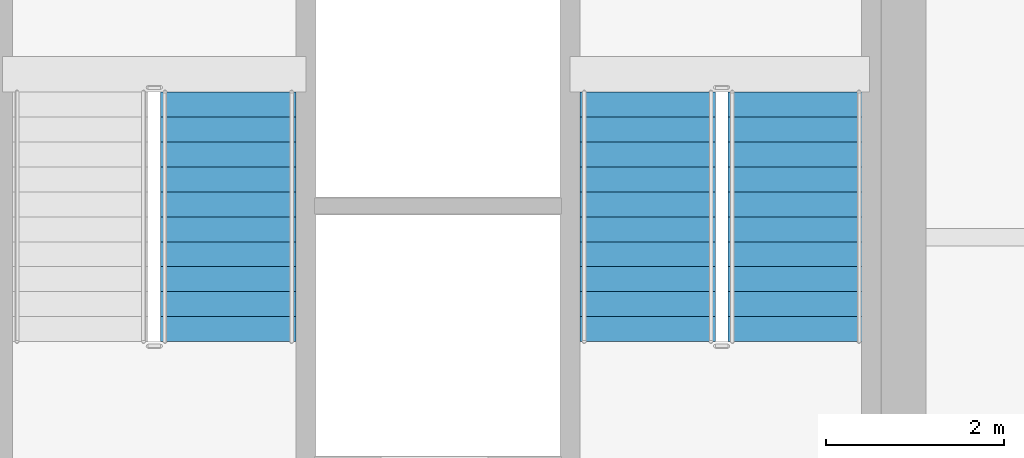
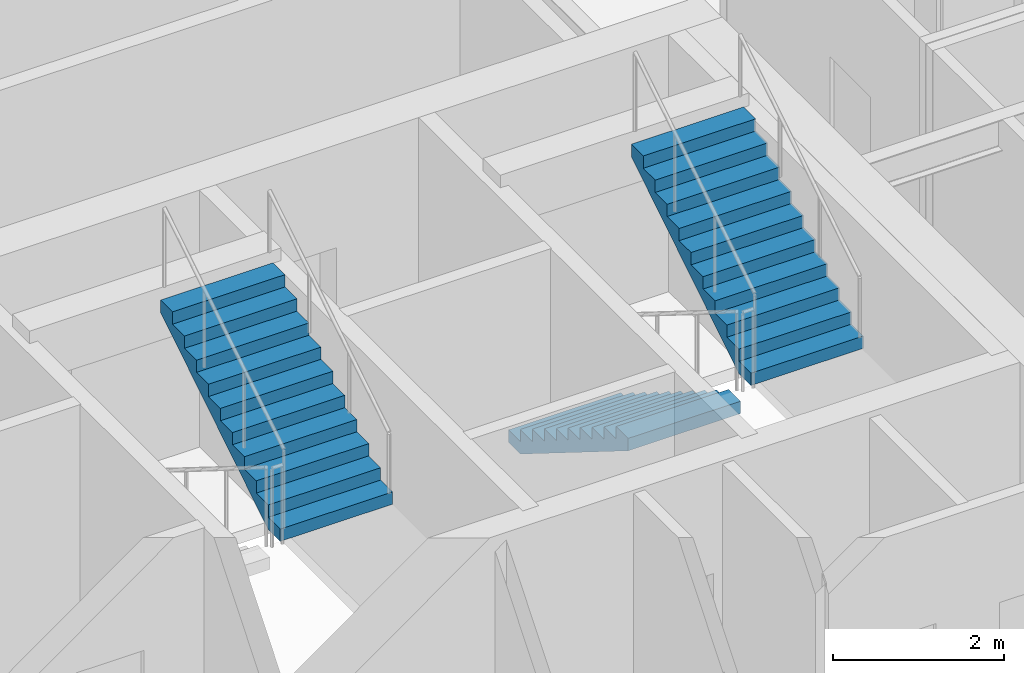
# One storey, part 9 of 10: 3 stair flights, 2 elements without a shape of their own.
"""IFC4 building model written with IfcOpenShell, lengths in metres."""

from ifc_helpers import new_model, si_unit, direction, frame, origin, place, context, subcontext, project, spatial, polyline, outline, extrude, material, type_object, element, aggregate, save


model = new_model("IFC4")

# Units and contexts
model_context = context("Model", 3, precision=1e-05, world=origin(), true_north=direction((0.0, 1.0)))
body_context = subcontext(model_context, "Body", "Model", "MODEL_VIEW")
ifc_project = project(units=[si_unit("LENGTHUNIT", "METRE"), si_unit("AREAUNIT", "SQUARE_METRE"), si_unit("VOLUMEUNIT", "CUBIC_METRE"), si_unit("PLANEANGLEUNIT", "RADIAN"), si_unit("MASSUNIT", "GRAM", prefix="KILO")], contexts=[model_context])

# Site, building, storey
site_placement = place(None, origin())
site = spatial("IfcSite", under=ifc_project, at=site_placement, CompositionType="ELEMENT")
building_placement = place(site_placement, origin())
building = spatial("IfcBuilding", under=site, at=building_placement, Name="Haolan Belvedere Tower", CompositionType="ELEMENT")
storey_placement = place(building_placement, frame((0.0, 0.0, 258.300048828125)))
storey = spatial("IfcBuildingStorey", under=building, at=storey_placement, Name="L65", CompositionType="ELEMENT", Elevation=258.300048828125)

# Stair, stair flight
ifc_material = material(Name="Concrete C40/50", Category="concrete")
stair_type = type_object("IfcStairType", Name="STR-DL-22R-175", PredefinedType="HALF_TURN_STAIR", material=ifc_material)
stair_1_placement = place(storey_placement, origin())
stair_1 = element("IfcStair", 1, at=stair_1_placement, inside=storey, type_object=stair_type, Name="L65 Smokeproof Core Exit Stair ST3", PredefinedType="HALF_TURN_STAIR")
stair_flight_type = type_object("IfcStairFlightType", Name="SFL-DL-11R-175", PredefinedType="STRAIGHT", material=ifc_material)
stair_flight_1_placement = place(storey_placement, frame((39.22998046875, 38.429931640625, 1.925048828125), z_axis=(0.0, 0.0, 1.0), x_axis=(0.0, 1.0, 0.0)))
stair_flight_1 = element("IfcStairFlight", 2, at=stair_flight_1_placement, type_object=stair_flight_type, Name="ST3 flight 2", NumberOfRisers=11, NumberOfTreads=10, PredefinedType="STRAIGHT", RiserHeight=0.175, TreadLength=0.28, context=body_context, shape_type="SweptSolid", body=[
    extrude(outline(polyline([(0.0, 0.0), (0.0, 0.175048828125), (0.280029296875, 0.175048828125), (0.280029296875, 0.35009765625), (0.56005859375, 0.35009765625), (0.56005859375, 0.52490234375), (0.840087890625, 0.52490234375), (0.840087890625, 0.699951171875), (1.1201171875, 0.699951171875), (1.1201171875, 0.875), (1.39990234375, 0.875), (1.39990234375, 1.050048828125), (1.679931640625, 1.050048828125), (1.679931640625, 1.22509765625), (1.9599609375, 1.22509765625), (1.9599609375, 1.39990234375), (2.239990234375, 1.39990234375), (2.239990234375, 1.574951171875), (2.52001953125, 1.574951171875), (2.52001953125, 1.75), (2.800048828125, 1.75), (2.800048828125, 1.925048828125), (2.800048828125, 1.5732421875), (0.28271484375, 0.0), (0.0, 0.0)])), frame((0.0, 0.760009765625, 0.0), z_axis=(0.0, -1.0, 0.0), x_axis=(1.0, 0.0, 0.0)), (0.0, 0.0, 1.0), 1.52001953125),
])
aggregate(stair_1, [stair_flight_1])

# Stair, stair flights
stair_2_placement = place(storey_placement, origin())
stair_2 = element("IfcStair", 3, at=stair_2_placement, inside=storey, type_object=stair_type, Name="L65 Smokeproof Core Exit Stair ST2", PredefinedType="HALF_TURN_STAIR")
stair_flight_2_placement = place(storey_placement, frame((43.929931640625, 41.22998046875, 0.0), z_axis=(0.0, 0.0, 1.0), x_axis=(0.0, -1.0, 0.0)))
stair_flight_2 = element("IfcStairFlight", 4, at=stair_flight_2_placement, type_object=stair_flight_type, Name="ST2 flight 1", NumberOfRisers=11, NumberOfTreads=10, PredefinedType="STRAIGHT", RiserHeight=0.175, TreadLength=0.28, context=body_context, shape_type="SweptSolid", body=[
    extrude(outline(polyline([(0.0, 0.0), (0.0, 0.175048828125), (0.280029296875, 0.175048828125), (0.280029296875, 0.35009765625), (0.56005859375, 0.35009765625), (0.56005859375, 0.52490234375), (0.840087890625, 0.52490234375), (0.840087890625, 0.699951171875), (1.1201171875, 0.699951171875), (1.1201171875, 0.875), (1.39990234375, 0.875), (1.39990234375, 1.050048828125), (1.679931640625, 1.050048828125), (1.679931640625, 1.22509765625), (1.9599609375, 1.22509765625), (1.9599609375, 1.39990234375), (2.239990234375, 1.39990234375), (2.239990234375, 1.574951171875), (2.52001953125, 1.574951171875), (2.52001953125, 1.75), (2.800048828125, 1.75), (2.800048828125, 1.925048828125), (2.800048828125, 1.5732421875), (0.28271484375, 0.0), (0.0, 0.0)])), frame((0.0, 0.760009765625, 0.0), z_axis=(0.0, -1.0, 0.0), x_axis=(1.0, 0.0, 0.0)), (0.0, 0.0, 1.0), 1.52001953125),
])
stair_flight_3_placement = place(storey_placement, frame((45.590087890625, 38.429931640625, 1.925048828125), z_axis=(0.0, 0.0, 1.0), x_axis=(0.0, 1.0, 0.0)))
stair_flight_3 = element("IfcStairFlight", 5, at=stair_flight_3_placement, type_object=stair_flight_type, Name="ST2 flight 2", NumberOfRisers=11, NumberOfTreads=10, PredefinedType="STRAIGHT", RiserHeight=0.175, TreadLength=0.28, context=body_context, shape_type="SweptSolid", body=[
    extrude(outline(polyline([(0.0, 0.0), (0.0, 0.175048828125), (0.280029296875, 0.175048828125), (0.280029296875, 0.35009765625), (0.56005859375, 0.35009765625), (0.56005859375, 0.52490234375), (0.840087890625, 0.52490234375), (0.840087890625, 0.699951171875), (1.1201171875, 0.699951171875), (1.1201171875, 0.875), (1.39990234375, 0.875), (1.39990234375, 1.050048828125), (1.679931640625, 1.050048828125), (1.679931640625, 1.22509765625), (1.9599609375, 1.22509765625), (1.9599609375, 1.39990234375), (2.239990234375, 1.39990234375), (2.239990234375, 1.574951171875), (2.52001953125, 1.574951171875), (2.52001953125, 1.75), (2.800048828125, 1.75), (2.800048828125, 1.925048828125), (2.800048828125, 1.5732421875), (0.28271484375, 0.0), (0.0, 0.0)])), frame((0.0, 0.760009765625, 0.0), z_axis=(0.0, -1.0, 0.0), x_axis=(1.0, 0.0, 0.0)), (0.0, 0.0, 1.0), 1.52001953125),
])
aggregate(stair_2, [stair_flight_2, stair_flight_3])

save(model, "model.ifc")
